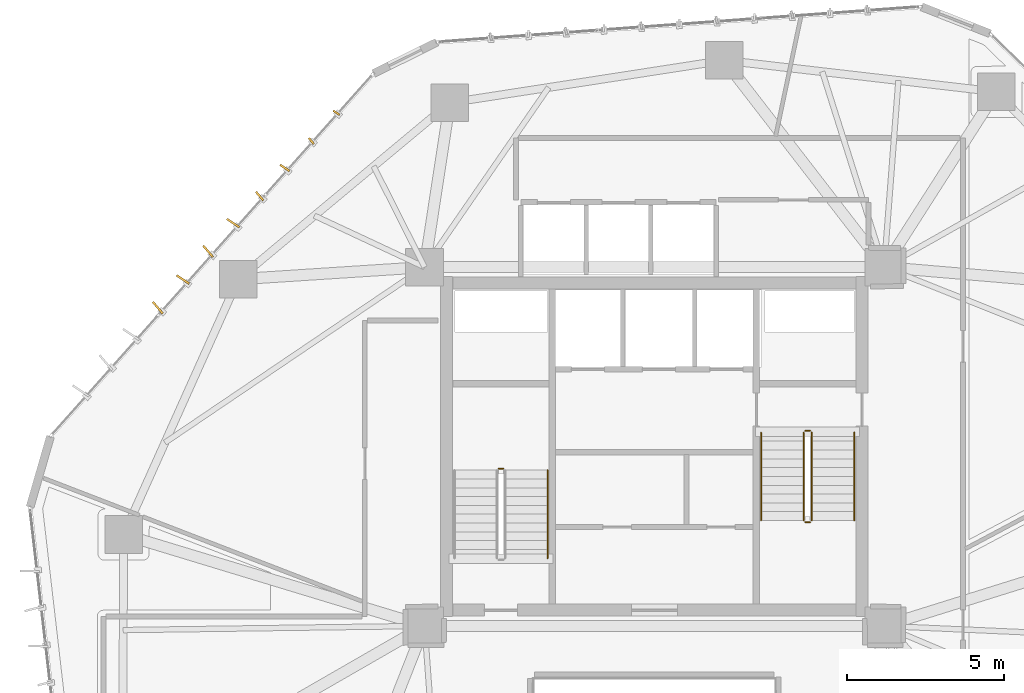
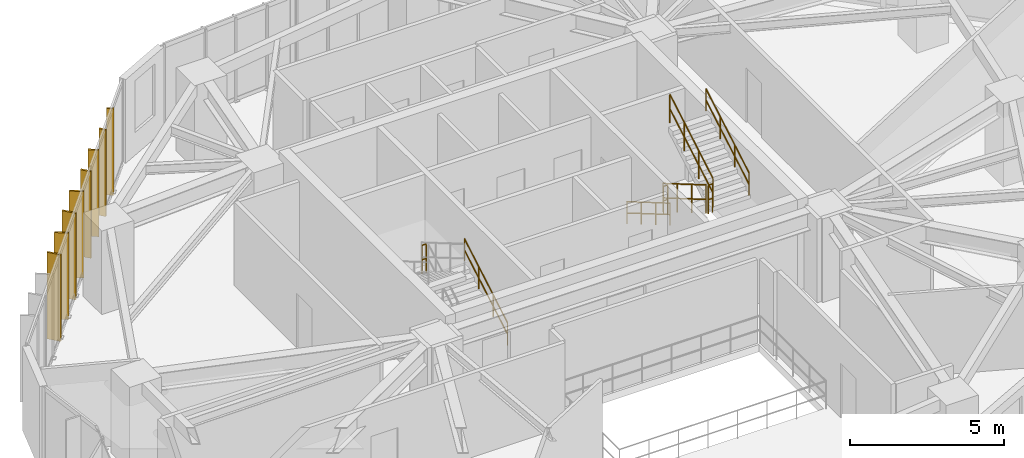
# One storey, part 22 of 23: 8 railings, 8 shading devices.
"""IFC4 building model written with IfcOpenShell, lengths in metres."""

import ifcopenshell
import ifcopenshell.guid

model = None  # the IFC model being written
_history = None  # IfcOwnerHistory: only IFC2X3 demands one
_inside = {}  # id of a spatial element -> (the spatial element, [elements in it])
_under = {}  # id of a project, library or spatial element -> (it, [spatial elements below it])
_declared = {}  # id of a project -> (the project, [libraries it declares])
_typed = {}  # id of a type object -> (the type object, [elements of that type])
_made_of = {}  # id of a material, layer set ... -> (it, [elements and type objects made of it])


def new_model(schema):
    """Start an empty IFC model of exactly this schema.

    Asked for "IFC4X3", IfcOpenShell would pick the latest addendum, in which some entities
    have other attributes; the version numbers below select the first issue.
    IFC2X3 requires an IfcOwnerHistory on every rooted entity: one is made here for all.
    """
    global model, _history
    if schema == "IFC4X3":
        model = ifcopenshell.file(schema_version=(4, 3, 0, 0))
    else:
        model = ifcopenshell.file(schema=schema)
    _inside.clear()
    _under.clear()
    _declared.clear()
    _typed.clear()
    _made_of.clear()
    _history = None
    if model.schema == "IFC2X3":
        org = make("IfcOrganization", Name="unknown")
        user = make(
            "IfcPersonAndOrganization",
            ThePerson=make("IfcPerson", FamilyName="unknown"),
            TheOrganization=org,
        )
        app = make(
            "IfcApplication",
            ApplicationDeveloper=org,
            Version="unknown",
            ApplicationFullName="unknown",
            ApplicationIdentifier="unknown",
        )
        _history = make(
            "IfcOwnerHistory",
            OwningUser=user,
            OwningApplication=app,
            ChangeAction="ADDED",
            CreationDate=0,
        )
    return model


def make(cls, **values):
    """One entity of the class cls with the attributes given. An attribute that is None is left unset."""
    return model.create_entity(
        cls, **{name: value for name, value in values.items() if value is not None}
    )


def rooted(cls, **values):
    """An entity with a GlobalId (a new one), such as an element, a storey or a relation."""
    return make(cls, GlobalId=ifcopenshell.guid.new(), OwnerHistory=_history, **values)


def si_unit(unit_type, name, prefix=None):
    """IfcSIUnit, for example si_unit("LENGTHUNIT", "METRE", prefix="MILLI")."""
    return make("IfcSIUnit", UnitType=unit_type, Prefix=prefix, Name=name)


def assignment(units):
    """IfcUnitAssignment: the units of a project."""
    return None if units is None else make("IfcUnitAssignment", Units=units)


def point(xyz):
    """IfcCartesianPoint."""
    return None if xyz is None else make("IfcCartesianPoint", Coordinates=xyz)


def direction(xyz):
    """IfcDirection."""
    return None if xyz is None else make("IfcDirection", DirectionRatios=xyz)


def frame(location, z_axis=None, x_axis=None):
    """IfcAxis2Placement3D, a coordinate frame: its origin and axes. An axis left out is left unset."""
    return make(
        "IfcAxis2Placement3D",
        Location=point(location),
        Axis=direction(z_axis),
        RefDirection=direction(x_axis),
    )


def frame_2d(location, x_axis=None):
    """IfcAxis2Placement2D, a coordinate frame in the plane: its origin and x axis."""
    return make(
        "IfcAxis2Placement2D", Location=point(location), RefDirection=direction(x_axis)
    )


def origin():
    """The frame at (0, 0, 0) with its axes left unset."""
    return frame((0.0, 0.0, 0.0))


def origin_2d():
    """The frame at (0, 0) in the plane with its x axis left unset."""
    return frame_2d((0.0, 0.0))


def place(relative_to, where):
    """IfcLocalPlacement: puts the frame where relative to a parent placement (None: the world)."""
    return make(
        "IfcLocalPlacement", PlacementRelTo=relative_to, RelativePlacement=where
    )


def context(
    kind, dimensions, precision=None, world=None, true_north=None, identifier=None
):
    """IfcGeometricRepresentationContext, for example the 3D "Model" context."""
    return make(
        "IfcGeometricRepresentationContext",
        ContextIdentifier=identifier,
        ContextType=kind,
        CoordinateSpaceDimension=dimensions,
        Precision=precision,
        WorldCoordinateSystem=world,
        TrueNorth=true_north,
    )


def subcontext(parent, identifier, kind, view, scale=None):
    """IfcGeometricRepresentationSubContext, for example "Body" below "Model"."""
    return make(
        "IfcGeometricRepresentationSubContext",
        ContextIdentifier=identifier,
        ContextType=kind,
        ParentContext=parent,
        TargetScale=scale,
        TargetView=view,
    )


def project(units=None, contexts=None):
    """IfcProject with its units and contexts."""
    return rooted(
        "IfcProject",
        Name="project",
        RepresentationContexts=contexts,
        UnitsInContext=assignment(units),
    )


def spatial(cls, under=None, at=None, **own):
    """A site, building, storey or space (cls), placed at a placement, below another one or the project."""
    s = rooted(cls, ObjectPlacement=at, **own)
    if under is not None:
        _under.setdefault(under.id(), (under, []))[1].append(s)
    return s


def profile(cls, at=None, kind="AREA", **sizes):
    """A parametric profile (cls). Its sizes go by their IFC names, for example OverallWidth=200.0."""
    return make(cls, ProfileType=kind, Position=at, **sizes)


def rectangle(**sizes):
    """IfcRectangleProfileDef."""
    return profile("IfcRectangleProfileDef", **sizes)


def circle(**sizes):
    """IfcCircleProfileDef."""
    return profile("IfcCircleProfileDef", **sizes)


def extrude(swept, where, along, depth):
    """IfcExtrudedAreaSolid: the profile swept, set in the frame where, extruded along a direction by depth."""
    return make(
        "IfcExtrudedAreaSolid",
        SweptArea=swept,
        Position=where,
        ExtrudedDirection=direction(along),
        Depth=depth,
    )


def shape(context_of_items, identifier, shape_type, items):
    """IfcShapeRepresentation: the items that make up one representation, for example the "Body"."""
    return make(
        "IfcShapeRepresentation",
        ContextOfItems=context_of_items,
        RepresentationIdentifier=identifier,
        RepresentationType=shape_type,
        Items=items,
    )


def source(mapping_origin, context_of_items, identifier, shape_type, items):
    """IfcRepresentationMap: a shape defined once, which mapped items show again and again."""
    return make(
        "IfcRepresentationMap",
        MappingOrigin=mapping_origin,
        MappedRepresentation=shape(context_of_items, identifier, shape_type, items),
    )


def transform(
    local_origin,
    x_axis=None,
    y_axis=None,
    z_axis=None,
    scale=None,
    scale2=None,
    scale3=None,
    uniform=True,
):
    """IfcCartesianTransformationOperator3D, or its non-uniform kind. x_axis, y_axis, z_axis: its Axis1, 2, 3."""
    if uniform:
        return make(
            "IfcCartesianTransformationOperator3D",
            Axis1=direction(x_axis),
            Axis2=direction(y_axis),
            LocalOrigin=point(local_origin),
            Scale=scale,
            Axis3=direction(z_axis),
        )
    return make(
        "IfcCartesianTransformationOperator3DnonUniform",
        Axis1=direction(x_axis),
        Axis2=direction(y_axis),
        LocalOrigin=point(local_origin),
        Scale=scale,
        Axis3=direction(z_axis),
        Scale2=scale2,
        Scale3=scale3,
    )


def mapped(mapping_source, mapping_target):
    """IfcMappedItem: shows the shape of a source again, moved by a transform."""
    return make(
        "IfcMappedItem", MappingSource=mapping_source, MappingTarget=mapping_target
    )


def material(Name=None, Category=None):
    """IfcMaterial."""
    return make("IfcMaterial", Name=Name, Category=Category)


def layer(
    of_material, thickness, ventilated=None, Name=None, Category=None, Priority=None
):
    """IfcMaterialLayer: one layer of a wall or slab, of a material (None: an air gap)."""
    return make(
        "IfcMaterialLayer",
        Material=of_material,
        LayerThickness=thickness,
        IsVentilated=ventilated,
        Name=Name,
        Category=Category,
        Priority=Priority,
    )


def layer_set(layers, Name=None):
    """IfcMaterialLayerSet."""
    return make("IfcMaterialLayerSet", MaterialLayers=layers, LayerSetName=Name)


def made_of(thing, what):
    """Note that an element or type object is made of a material, layer set ...; save() writes the relation."""
    if what is not None:
        _made_of.setdefault(what.id(), (what, []))[1].append(thing)
    return thing


def type_object(cls, material=None, **own):
    """A type object (cls), such as IfcWallType, which elements share."""
    return made_of(rooted(cls, **own), material)


def type_shapes(of_type, sources):
    """Give a type object the sources (RepresentationMaps) that its elements show as mapped items."""
    of_type.RepresentationMaps = sources


def element(
    cls,
    number,
    at=None,
    inside=None,
    cuts=None,
    type_object=None,
    material=None,
    context=None,
    identifier="Body",
    shape_type=None,
    held_by="IfcProductDefinitionShape",
    body=None,
    shapes=None,
    **own,
):
    """One element of the class cls, such as IfcWall. Its Tag is "e" and its number.

    at: its placement. inside: the storey or other place that contains it. cuts: it is an
    opening in that element (IfcRelVoidsElement). A single representation is given by context,
    identifier, shape_type and body (its items); several are given by shapes. held_by: the class
    of the entity that holds the representations. save() writes the other relations.
    """
    e = rooted(cls, Tag="e%d" % number, ObjectPlacement=at, **own)
    if body is not None:
        shapes = [shape(context, identifier, shape_type, body)]
    if shapes is not None:
        e.Representation = make(held_by, Representations=shapes)
    if inside is not None:
        _inside.setdefault(inside.id(), (inside, []))[1].append(e)
    if cuts is not None:
        rooted(
            "IfcRelVoidsElement", RelatingBuildingElement=cuts, RelatedOpeningElement=e
        )
    if type_object is not None:
        _typed.setdefault(type_object.id(), (type_object, []))[1].append(e)
    return made_of(e, material)


def aggregate(whole, parts):
    """IfcRelAggregates: a whole, such as a stair, and the parts it consists of."""
    return rooted("IfcRelAggregates", RelatingObject=whole, RelatedObjects=parts)


def save(model, path):
    """Write the relations noted so far, then the file.

    IfcRelAggregates (storeys below a building ...), IfcRelContainedInSpatialStructure (elements
    in a storey), IfcRelDefinesByType, IfcRelAssociatesMaterial and IfcRelDeclares: one each for
    every whole, place, type object, material and project.
    """
    for whole, parts in _under.values():
        aggregate(whole, parts)
    for where, things in _inside.values():
        rooted(
            "IfcRelContainedInSpatialStructure",
            RelatedElements=things,
            RelatingStructure=where,
        )
    for kind, things in _typed.values():
        rooted("IfcRelDefinesByType", RelatedObjects=things, RelatingType=kind)
    for what, things in _made_of.values():
        rooted("IfcRelAssociatesMaterial", RelatedObjects=things, RelatingMaterial=what)
    for by, libraries in _declared.values():
        rooted("IfcRelDeclares", RelatingContext=by, RelatedDefinitions=libraries)
    model.write(path)


model = new_model("IFC4")

# Units and contexts
model_context = context("Model", 3, precision=1e-05, world=origin(), true_north=direction((0.0, 1.0)))
body_context = subcontext(model_context, "Body", "Model", "MODEL_VIEW")
ifc_project = project(units=[si_unit("LENGTHUNIT", "METRE"), si_unit("AREAUNIT", "SQUARE_METRE"), si_unit("VOLUMEUNIT", "CUBIC_METRE"), si_unit("PLANEANGLEUNIT", "RADIAN"), si_unit("MASSUNIT", "GRAM", prefix="KILO")], contexts=[model_context])

# Site, building, storey
site_placement = place(None, origin())
site = spatial("IfcSite", under=ifc_project, at=site_placement, CompositionType="ELEMENT")
building_placement = place(site_placement, origin())
building = spatial("IfcBuilding", under=site, at=building_placement, Name="Talar Marvaseh", CompositionType="ELEMENT")
storey_placement = place(building_placement, frame((0.0, 0.0, 103.800048828125)))
storey = spatial("IfcBuildingStorey", under=building, at=storey_placement, Name="L26", CompositionType="ELEMENT", Elevation=103.800048828125)

# Railings
ifc_material_1 = material(Name="Stainless Steel Grade 316", Category="steel")
railing_type_1 = type_object("IfcRailingType", Name="Brushed Stainless Wall Pitch Handrail 900", PredefinedType="HANDRAIL", material=ifc_material_1)
railing_1_placement = place(storey_placement, frame((22.610107421875, 27.64990234375, 0.16357421875)))
element("IfcRailing", 1, at=railing_1_placement, inside=storey, type_object=railing_type_1, Name="L26 ST-1 stair handrail 1", PredefinedType="HANDRAIL", context=body_context, shape_type="SweptSolid", body=[
    extrude(circle(Radius=0.02392578125, at=origin_2d()), frame((0.0, 0.0, 0.8759765625), z_axis=(0.0, 0.863360870873, 0.504586966384), x_axis=(-1.0, 0.0, 0.0)), (0.0, 0.0, 1.0), 3.2431640625),
    extrude(circle(Radius=0.02392578125, at=origin_2d()), frame((0.0, 0.0, 0.42578125), z_axis=(0.0, 0.863360870873, 0.504586966384), x_axis=(-1.0, 0.0, 0.0)), (0.0, 0.0, 1.0), 3.2431640625),
    extrude(circle(Radius=0.02099609375, at=origin_2d()), origin(), (0.0, 0.0, 1.0), 0.851806640625),
    extrude(circle(Radius=0.02099609375, at=origin_2d()), frame((0.0, 0.933349609375, 0.54541015625)), (0.0, 0.0, 1.0), 0.851806640625),
    extrude(circle(Radius=0.02099609375, at=origin_2d()), frame((0.0, 1.86669921875, 1.091064453125)), (0.0, 0.0, 1.0), 0.851806640625),
    extrude(circle(Radius=0.02099609375, at=origin_2d()), frame((0.0, 2.800048828125, 1.636474609375)), (0.0, 0.0, 1.0), 0.851806640625),
])
railing_2_placement = place(storey_placement, frame((29.389892578125, 31.64990234375, 0.16357421875)))
element("IfcRailing", 2, at=railing_2_placement, inside=storey, type_object=railing_type_1, Name="L26 ST-2 stair handrail 1", PredefinedType="HANDRAIL", context=body_context, shape_type="SweptSolid", body=[
    extrude(circle(Radius=0.02392578125, at=origin_2d()), frame((0.0, 0.0, 0.8759765625), z_axis=(0.0, -0.863341702679, 0.504619762213), x_axis=(1.0, 0.0, 0.0)), (0.0, 0.0, 1.0), 3.242919921875),
    extrude(circle(Radius=0.02392578125, at=origin_2d()), frame((0.0, 0.0, 0.42578125), z_axis=(0.0, -0.863341702679, 0.504619762213), x_axis=(1.0, 0.0, 0.0)), (0.0, 0.0, 1.0), 3.242919921875),
    extrude(circle(Radius=0.02099609375, at=origin_2d()), origin(), (0.0, 0.0, 1.0), 0.851806640625),
    extrude(circle(Radius=0.02099609375, at=origin_2d()), frame((0.0, -0.933349609375, 0.54541015625)), (0.0, 0.0, 1.0), 0.851806640625),
    extrude(circle(Radius=0.02099609375, at=origin_2d()), frame((0.0, -1.866455078125, 1.091064453125)), (0.0, 0.0, 1.0), 0.851806640625),
    extrude(circle(Radius=0.02099609375, at=origin_2d()), frame((0.0, -2.7998046875, 1.636474609375)), (0.0, 0.0, 1.0), 0.851806640625),
])
railing_3_placement = place(storey_placement, frame((32.35009765625, 28.85009765625, 1.963623046875)))
element("IfcRailing", 3, at=railing_3_placement, inside=storey, type_object=railing_type_1, Name="L26 ST-2 stair handrail 2", PredefinedType="HANDRAIL", context=body_context, shape_type="SweptSolid", body=[
    extrude(circle(Radius=0.02392578125, at=origin_2d()), frame((0.0, 0.0, 0.8759765625), z_axis=(0.0, 0.863374499697, 0.504563646405), x_axis=(-1.0, 0.0, 0.0)), (0.0, 0.0, 1.0), 3.242919921875),
    extrude(circle(Radius=0.02392578125, at=origin_2d()), frame((0.0, 0.0, 0.42578125), z_axis=(0.0, 0.863374499697, 0.504563646405), x_axis=(-1.0, 0.0, 0.0)), (0.0, 0.0, 1.0), 3.242919921875),
    extrude(circle(Radius=0.02099609375, at=origin_2d()), origin(), (0.0, 0.0, 1.0), 0.851806640625),
    extrude(circle(Radius=0.02099609375, at=origin_2d()), frame((0.0, 0.933349609375, 0.54541015625)), (0.0, 0.0, 1.0), 0.851806640625),
    extrude(circle(Radius=0.02099609375, at=origin_2d()), frame((0.0, 1.866455078125, 1.0908203125)), (0.0, 0.0, 1.0), 0.851806640625),
    extrude(circle(Radius=0.02099609375, at=origin_2d()), frame((0.0, 2.7998046875, 1.63623046875)), (0.0, 0.0, 1.0), 0.851806640625),
])
railing_type_2 = type_object("IfcRailingType", Name="Painted Steel Core Stair Well Guardrail 1150", PredefinedType="GUARDRAIL", material=ifc_material_1)
railing_4_placement = place(storey_placement, frame((21.2099609375, 30.5, 1.800048828125)))
element("IfcRailing", 4, at=railing_4_placement, inside=storey, type_object=railing_type_2, Name="L26 ST-1 stair guard 2", PredefinedType="GUARDRAIL", context=body_context, shape_type="SweptSolid", body=[
    extrude(circle(Radius=0.02392578125, at=origin_2d()), frame((0.0, 0.0, 1.1259765625), z_axis=(-1.0, 0.0, 0.0), x_axis=(0.0, -1.0, 0.0)), (0.0, 0.0, 1.0), 0.159912109375),
    extrude(circle(Radius=0.02392578125, at=origin_2d()), frame((0.0, 0.0, 0.55078125), z_axis=(-1.0, 0.0, 0.0), x_axis=(0.0, -1.0, 0.0)), (0.0, 0.0, 1.0), 0.159912109375),
    extrude(circle(Radius=0.02099609375, at=origin_2d()), origin(), (0.0, 0.0, 1.0), 1.101806640625),
    extrude(circle(Radius=0.02099609375, at=origin_2d()), frame((-0.159912109375, 0.0, 0.0)), (0.0, 0.0, 1.0), 1.101806640625),
])
railing_5_placement = place(storey_placement, frame((30.739990234375, 31.64990234375, 0.16357421875)))
element("IfcRailing", 5, at=railing_5_placement, inside=storey, type_object=railing_type_2, Name="L26 ST-2 stair guard 1", PredefinedType="GUARDRAIL", context=body_context, shape_type="SweptSolid", body=[
    extrude(circle(Radius=0.02392578125, at=origin_2d()), frame((0.0, 0.0, 1.1259765625), z_axis=(0.0, -0.863341702679, 0.504619762213), x_axis=(1.0, 0.0, 0.0)), (0.0, 0.0, 1.0), 3.242919921875),
    extrude(circle(Radius=0.02392578125, at=origin_2d()), frame((0.0, 0.0, 0.55078125), z_axis=(0.0, -0.863341702679, 0.504619762213), x_axis=(1.0, 0.0, 0.0)), (0.0, 0.0, 1.0), 3.242919921875),
    extrude(circle(Radius=0.02099609375, at=origin_2d()), origin(), (0.0, 0.0, 1.0), 1.101806640625),
    extrude(circle(Radius=0.02099609375, at=origin_2d()), frame((0.0, -0.933349609375, 0.54541015625)), (0.0, 0.0, 1.0), 1.101806640625),
    extrude(circle(Radius=0.02099609375, at=origin_2d()), frame((0.0, -1.866455078125, 1.091064453125)), (0.0, 0.0, 1.0), 1.101806640625),
    extrude(circle(Radius=0.02099609375, at=origin_2d()), frame((0.0, -2.7998046875, 1.636474609375)), (0.0, 0.0, 1.0), 1.101806640625),
])
railing_6_placement = place(storey_placement, frame((30.7900390625, 28.800048828125, 1.800048828125)))
element("IfcRailing", 6, at=railing_6_placement, inside=storey, type_object=railing_type_2, Name="L26 ST-2 stair guard 2", PredefinedType="GUARDRAIL", context=body_context, shape_type="SweptSolid", body=[
    extrude(circle(Radius=0.02392578125, at=origin_2d()), frame((0.0, 0.0, 1.1259765625), z_axis=(1.0, 0.0, 0.0), x_axis=(0.0, 1.0, 0.0)), (0.0, 0.0, 1.0), 0.159912109375),
    extrude(circle(Radius=0.02392578125, at=origin_2d()), frame((0.0, 0.0, 0.55078125), z_axis=(1.0, 0.0, 0.0), x_axis=(0.0, 1.0, 0.0)), (0.0, 0.0, 1.0), 0.159912109375),
    extrude(circle(Radius=0.02099609375, at=origin_2d()), origin(), (0.0, 0.0, 1.0), 1.101806640625),
    extrude(circle(Radius=0.02099609375, at=origin_2d()), frame((0.159912109375, 0.0, 0.0)), (0.0, 0.0, 1.0), 1.101806640625),
])
railing_7_placement = place(storey_placement, frame((31.0, 28.85009765625, 1.963623046875)))
element("IfcRailing", 7, at=railing_7_placement, inside=storey, type_object=railing_type_2, Name="L26 ST-2 stair guard 3", PredefinedType="GUARDRAIL", context=body_context, shape_type="SweptSolid", body=[
    extrude(circle(Radius=0.02392578125, at=origin_2d()), frame((0.0, 0.0, 1.1259765625), z_axis=(0.0, 0.863374499697, 0.504563646405), x_axis=(-1.0, 0.0, 0.0)), (0.0, 0.0, 1.0), 3.242919921875),
    extrude(circle(Radius=0.02392578125, at=origin_2d()), frame((0.0, 0.0, 0.55078125), z_axis=(0.0, 0.863374499697, 0.504563646405), x_axis=(-1.0, 0.0, 0.0)), (0.0, 0.0, 1.0), 3.242919921875),
    extrude(circle(Radius=0.02099609375, at=origin_2d()), origin(), (0.0, 0.0, 1.0), 1.101806640625),
    extrude(circle(Radius=0.02099609375, at=origin_2d()), frame((0.0, 0.933349609375, 0.54541015625)), (0.0, 0.0, 1.0), 1.101806640625),
    extrude(circle(Radius=0.02099609375, at=origin_2d()), frame((0.0, 1.866455078125, 1.0908203125)), (0.0, 0.0, 1.0), 1.101806640625),
    extrude(circle(Radius=0.02099609375, at=origin_2d()), frame((0.0, 2.7998046875, 1.63623046875)), (0.0, 0.0, 1.0), 1.101806640625),
])
railing_8_placement = place(storey_placement, frame((30.7900390625, 31.699951171875, 0.0)))
element("IfcRailing", 8, at=railing_8_placement, inside=storey, type_object=railing_type_2, Name="L26 ST-2 stair guard 4", PredefinedType="GUARDRAIL", context=body_context, shape_type="SweptSolid", body=[
    extrude(circle(Radius=0.02392578125, at=origin_2d()), frame((0.0, 0.0, 1.1259765625), z_axis=(1.0, 0.0, 0.0), x_axis=(0.0, 1.0, 0.0)), (0.0, 0.0, 1.0), 0.159912109375),
    extrude(circle(Radius=0.02392578125, at=origin_2d()), frame((0.0, 0.0, 0.55078125), z_axis=(1.0, 0.0, 0.0), x_axis=(0.0, 1.0, 0.0)), (0.0, 0.0, 1.0), 0.159912109375),
    extrude(circle(Radius=0.02099609375, at=origin_2d()), origin(), (0.0, 0.0, 1.0), 1.101806640625),
    extrude(circle(Radius=0.02099609375, at=origin_2d()), frame((0.159912109375, 0.0, 0.0)), (0.0, 0.0, 1.0), 1.101806640625),
])

# Shading devices
ifc_material_2 = material(Name="Anodised Champagne Bronze Aluminium", Category="aluminium")
ifc_layer_1 = layer(ifc_material_2, 0.06494140625)
ifc_layer_set_1 = layer_set([ifc_layer_1], Name="Anodised Champagne Bronze Aluminium")
shading_device_type_1 = type_object("IfcShadingDeviceType", Name="Sawtooth Champagne Bronze Vertical Fin 240", PredefinedType="USERDEFINED", material=ifc_layer_set_1)
shared_shape_1 = source(origin(), body_context, "Body", "SweptSolid", [
    extrude(rectangle(XDim=0.239990234375, YDim=0.06494140625, at=origin_2d()), origin(), (0.0, 0.0, 1.0), 3.429931640625),
])
type_shapes(shading_device_type_1, [shared_shape_1])
for number, where, z_axis, x_axis, name in (
    (9, (15.100341796875, 40.908935546875, -0.1201171875), (0.0, 0.0, 1.0), (-0.647055961569, 0.762442511011, 0.0), "L26 Sawtooth Vertical Solar Fin"),
    (10, (15.8984375, 41.80517578125, -0.1201171875), (0.0, 0.0, 1.0), (-0.832147748683, 0.554553986878, 0.0), "L26 Sawtooth Vertical Solar Fin"),
):
    element("IfcShadingDevice", number, at=place(storey_placement, frame(where, z_axis=z_axis, x_axis=x_axis)), inside=storey, type_object=shading_device_type_1, Name=name, ObjectType="FIN", PredefinedType="USERDEFINED", context=body_context, shape_type="MappedRepresentation", body=[
        mapped(shared_shape_1, transform((0.0, 0.0, 0.0), x_axis=(1.0, 0.0, 0.0), y_axis=(0.0, 1.0, 0.0), z_axis=(0.0, 0.0, 1.0), scale=1.0)),
    ])
ifc_layer_2 = layer(ifc_material_2, 0.06494140625)
ifc_layer_set_2 = layer_set([ifc_layer_2], Name="Anodised Champagne Bronze Aluminium")
shading_device_type_2 = type_object("IfcShadingDeviceType", Name="Sawtooth Champagne Bronze Vertical Fin 360", PredefinedType="USERDEFINED", material=ifc_layer_set_2)
shared_shape_2 = source(origin(), body_context, "Body", "SweptSolid", [
    extrude(rectangle(XDim=0.360107421875, YDim=0.06494140625, at=origin_2d()), origin(), (0.0, 0.0, 1.0), 3.429931640625),
])
type_shapes(shading_device_type_2, [shared_shape_2])
for number, where, z_axis, x_axis, name in (
    (11, (13.459716796875, 39.156494140625, -0.1201171875), (0.0, 0.0, 1.0), (-0.647055961569, 0.762442511011, 0.0), "L26 Sawtooth Vertical Solar Fin"),
    (12, (14.257568359375, 40.052490234375, -0.1201171875), (0.0, 0.0, 1.0), (-0.832147748683, 0.554553986878, 0.0), "L26 Sawtooth Vertical Solar Fin"),
):
    element("IfcShadingDevice", number, at=place(storey_placement, frame(where, z_axis=z_axis, x_axis=x_axis)), inside=storey, type_object=shading_device_type_2, Name=name, ObjectType="FIN", PredefinedType="USERDEFINED", context=body_context, shape_type="MappedRepresentation", body=[
        mapped(shared_shape_2, transform((0.0, 0.0, 0.0), x_axis=(1.0, 0.0, 0.0), y_axis=(0.0, 1.0, 0.0), z_axis=(0.0, 0.0, 1.0), scale=1.0)),
    ])
ifc_layer_3 = layer(ifc_material_2, 0.06494140625)
ifc_layer_set_3 = layer_set([ifc_layer_3], Name="Anodised Champagne Bronze Aluminium")
shading_device_type_3 = type_object("IfcShadingDeviceType", Name="Sawtooth Champagne Bronze Vertical Fin 480", PredefinedType="USERDEFINED", material=ifc_layer_set_3)
shared_shape_3 = source(origin(), body_context, "Body", "SweptSolid", [
    extrude(rectangle(XDim=0.47998046875, YDim=0.06494140625, at=origin_2d()), origin(), (0.0, 0.0, 1.0), 3.429931640625),
])
type_shapes(shading_device_type_3, [shared_shape_3])
for number, where, z_axis, x_axis, name in (
    (13, (10.222900390625, 35.611328125, -0.1201171875), (0.0, 0.0, 1.0), (-0.647055961569, 0.762442511011, 0.0), "L26 Sawtooth Vertical Solar Fin"),
    (14, (11.020751953125, 36.507568359375, -0.1201171875), (0.0, 0.0, 1.0), (-0.832147748683, 0.554553986878, 0.0), "L26 Sawtooth Vertical Solar Fin"),
    (15, (11.81884765625, 37.40380859375, -0.1201171875), (0.0, 0.0, 1.0), (-0.647055961569, 0.762442511011, 0.0), "L26 Sawtooth Vertical Solar Fin"),
    (16, (12.61669921875, 38.300048828125, -0.1201171875), (0.0, 0.0, 1.0), (-0.832147748683, 0.554553986878, 0.0), "L26 Sawtooth Vertical Solar Fin"),
):
    element("IfcShadingDevice", number, at=place(storey_placement, frame(where, z_axis=z_axis, x_axis=x_axis)), inside=storey, type_object=shading_device_type_3, Name=name, ObjectType="FIN", PredefinedType="USERDEFINED", context=body_context, shape_type="MappedRepresentation", body=[
        mapped(shared_shape_3, transform((0.0, 0.0, 0.0), x_axis=(1.0, 0.0, 0.0), y_axis=(0.0, 1.0, 0.0), z_axis=(0.0, 0.0, 1.0), scale=1.0)),
    ])

save(model, "model.ifc")
